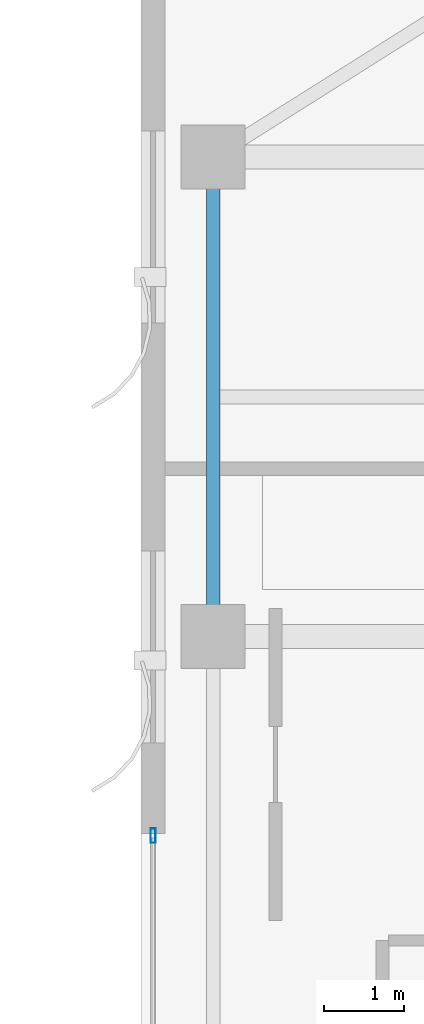
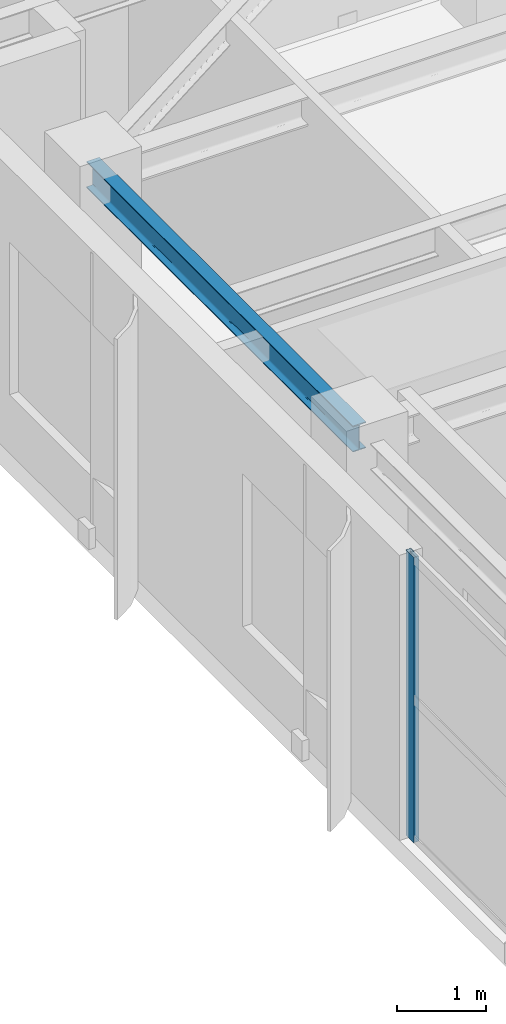
# One storey, part 10 of 26: 1 beam, 1 member, 1 element without a shape of its own.
"""IFC4 building model written with IfcOpenShell, lengths in metres."""

from ifc_helpers import new_model, si_unit, direction, frame, origin, origin_2d, place, context, subcontext, project, spatial, hollow_rectangle, i_section, extrude, source, transform, mapped, material, layer, layer_set, material_profile, profile_set, type_object, element, aggregate, save


model = new_model("IFC4")

# Units and contexts
model_context = context("Model", 3, precision=1e-05, world=origin(), true_north=direction((0.0, 1.0)))
body_context = subcontext(model_context, "Body", "Model", "MODEL_VIEW")
ifc_project = project(units=[si_unit("LENGTHUNIT", "METRE"), si_unit("AREAUNIT", "SQUARE_METRE"), si_unit("VOLUMEUNIT", "CUBIC_METRE"), si_unit("PLANEANGLEUNIT", "RADIAN"), si_unit("MASSUNIT", "GRAM", prefix="KILO")], contexts=[model_context])

# Site, building, storey
site_placement = place(None, origin())
site = spatial("IfcSite", under=ifc_project, at=site_placement, CompositionType="ELEMENT")
building_placement = place(site_placement, origin())
building = spatial("IfcBuilding", under=site, at=building_placement, Name="Khoralis Quay Care Tower", CompositionType="ELEMENT")
storey_placement = place(building_placement, frame((0.0, 0.0, 289.5)))
storey = spatial("IfcBuildingStorey", under=building, at=storey_placement, Name="L76", CompositionType="ELEMENT", Elevation=289.5)

# Beam
ifc_material_1 = material(Name="Steel S355", Category="steel")
ifc_material_profile_1 = material_profile(ifc_material_1, i_section(OverallWidth=0.169921875, OverallDepth=0.360107421875, WebThickness=0.008056640625, FlangeThickness=0.0126953125, FilletRadius=0.01806640625, at=origin_2d()), Name="Steel S355")
ifc_profile_set_1 = profile_set([ifc_material_profile_1], Name="Steel S355")
beam_type = type_object("IfcBeamType", Name="BM-IPE360", PredefinedType="SPANDREL", material=ifc_profile_set_1)
shared_shape_1 = source(origin(), body_context, "Body", "SweptSolid", [
    extrude(i_section(OverallWidth=0.169921875, OverallDepth=0.360107421875, WebThickness=0.008056640625, FlangeThickness=0.0126953125, FilletRadius=0.01806640625, at=origin_2d()), origin(), (0.0, 0.0, 1.0), 6.0),
])
beam_placement = place(storey_placement, frame((3.89990234375, 30.0, 3.739990234375), z_axis=(0.0, 1.0, 0.0), x_axis=(-1.0, 0.0, 0.0)))
element("IfcBeam", 1, at=beam_placement, inside=storey, type_object=beam_type, Name="BM-TSP-L76-12", PredefinedType="SPANDREL", context=body_context, shape_type="MappedRepresentation", body=[
    mapped(shared_shape_1, transform((0.0, 0.0, 0.0), scale=1.0)),
])

# Curtain wall, member
ifc_material_2 = material(Name="Pale anodised aluminium", Category="aluminium")
ifc_layer = layer(ifc_material_2, 0.159912109375)
ifc_layer_set = layer_set([ifc_layer], Name="Pale anodised aluminium")
curtain_wall_type = type_object("IfcCurtainWallType", Name="CW-SYS-Z3", PredefinedType="NOTDEFINED", material=ifc_layer_set)
curtain_wall_placement = place(storey_placement, origin())
curtain_wall = element("IfcCurtainWall", 2, at=curtain_wall_placement, inside=storey, type_object=curtain_wall_type, Name="L76 Unitised Curtain Wall CW-L76-P1-E15", PredefinedType="NOTDEFINED")
ifc_material_profile_2 = material_profile(ifc_material_2, hollow_rectangle(XDim=0.06494140625, YDim=0.179931640625, WallThickness=0.00390625, at=origin_2d()), Name="Pale anodised aluminium")
ifc_profile_set_2 = profile_set([ifc_material_profile_2], Name="Pale anodised aluminium")
member_type = type_object("IfcMemberType", Name="CW-MUL-180", PredefinedType="MULLION", material=ifc_profile_set_2)
shared_shape_2 = source(origin(), body_context, "Body", "SweptSolid", [
    extrude(hollow_rectangle(XDim=0.06494140625, YDim=0.179931640625, WallThickness=0.00390625, at=origin_2d()), origin(), (0.0, 0.0, 1.0), 3.919921875),
])
member_placement = place(storey_placement, frame((3.14990234375, 27.510009765625, 0.0), z_axis=(0.0, 0.0, 1.0), x_axis=(1.0, 0.0, 0.0)))
member = element("IfcMember", 3, at=member_placement, type_object=member_type, Name="CW3 mullion 1", PredefinedType="MULLION", context=body_context, shape_type="MappedRepresentation", body=[
    mapped(shared_shape_2, transform((0.0, 0.0, 0.0), scale=1.0)),
])
aggregate(curtain_wall, [member])

save(model, "model.ifc")
